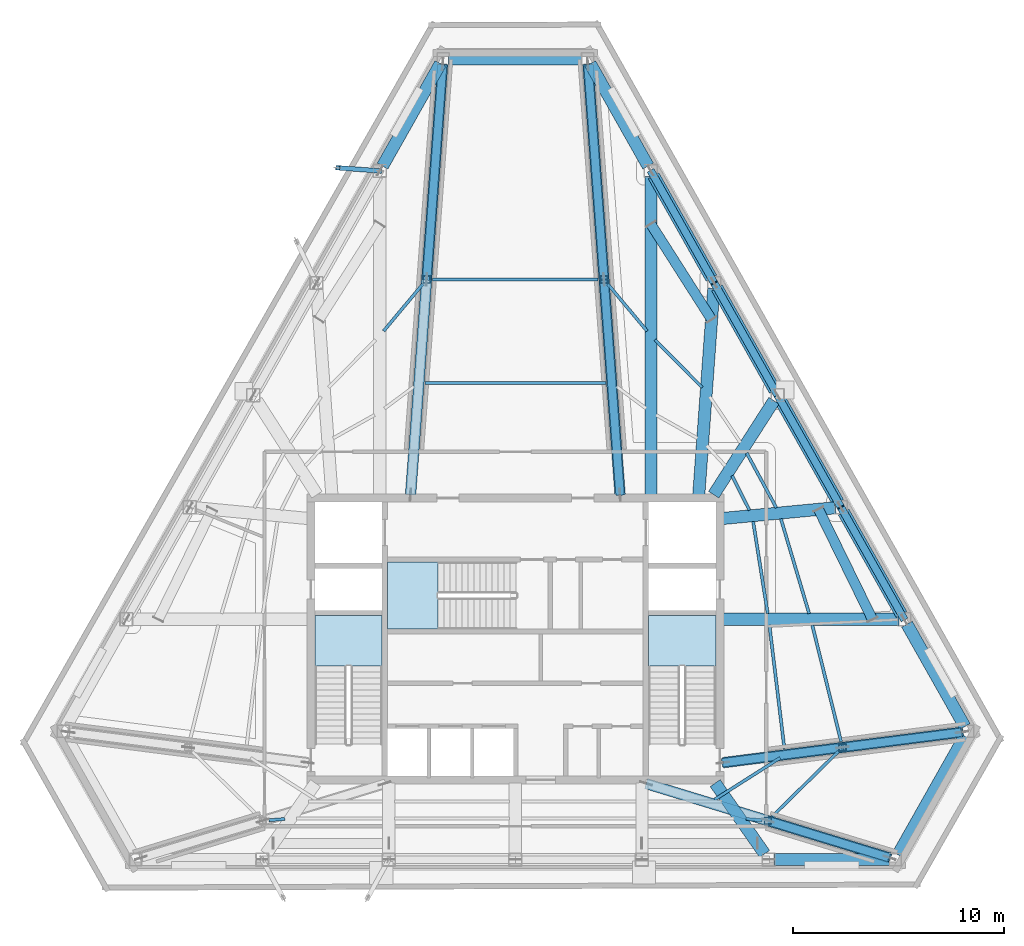
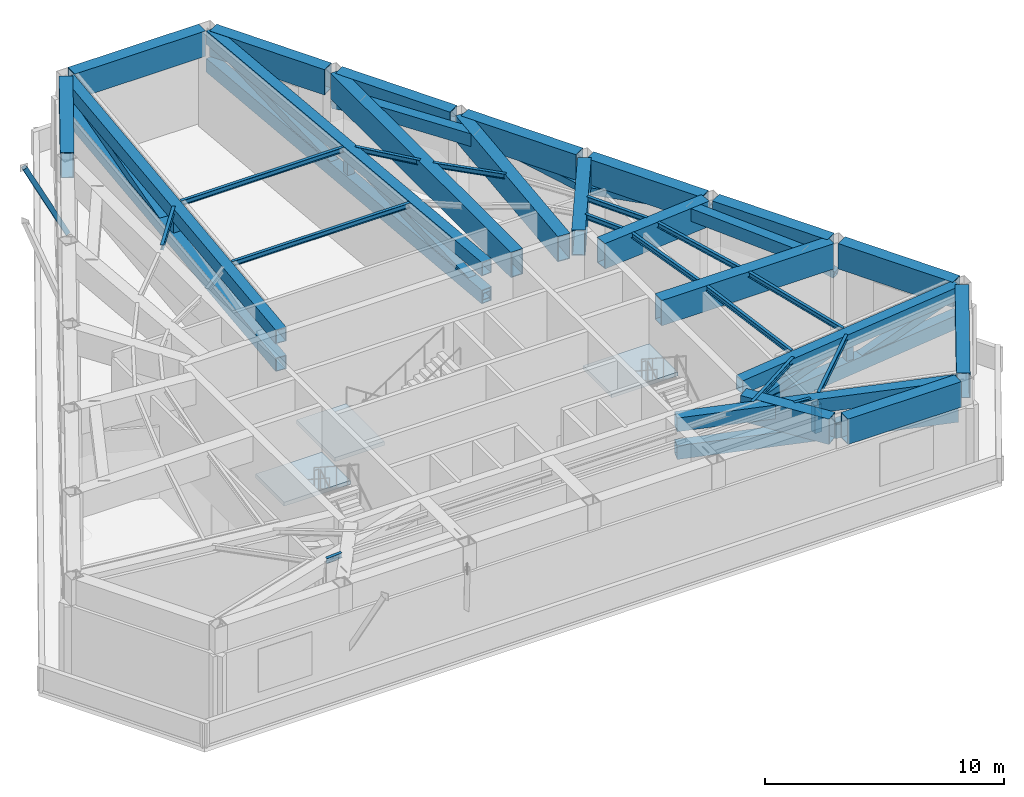
# One storey, part 3 of 13: 41 beams, 15 members, 3 slabs, 3 elements without a shape of their own.
"""IFC4 building model written with IfcOpenShell, lengths in metres."""

from ifc_helpers import new_model, si_unit, direction, frame, origin, origin_2d, place, context, subcontext, project, spatial, polyline, hollow_rectangle, i_section, outline, extrude, material, layer, layer_set, material_profile, profile_set, type_object, element, aggregate, save


model = new_model("IFC4")

# Units and contexts
model_context = context("Model", 3, precision=1e-05, world=origin(), true_north=direction((0.0, 1.0)))
body_context = subcontext(model_context, "Body", "Model", "MODEL_VIEW")
ifc_project = project(units=[si_unit("LENGTHUNIT", "METRE"), si_unit("AREAUNIT", "SQUARE_METRE"), si_unit("VOLUMEUNIT", "CUBIC_METRE"), si_unit("PLANEANGLEUNIT", "RADIAN"), si_unit("MASSUNIT", "GRAM", prefix="KILO")], contexts=[model_context])

# Site, building, storey
site_placement = place(None, origin())
site = spatial("IfcSite", under=ifc_project, at=site_placement, CompositionType="ELEMENT")
building_placement = place(site_placement, origin())
building = spatial("IfcBuilding", under=site, at=building_placement, Name="Kavelnor Concourse Tower", CompositionType="ELEMENT")
storey_placement = place(building_placement, frame((0.0, 0.0, 234.300048828125)))
storey = spatial("IfcBuildingStorey", under=building, at=storey_placement, Name="L59", CompositionType="ELEMENT", Elevation=234.300048828125)

# Beams
ifc_material_1 = material(Name="Steel Grade 350", Category="steel")
ifc_material_profile_1 = material_profile(ifc_material_1, hollow_rectangle(XDim=0.47998046875, YDim=0.64990234375, WallThickness=0.030029296875, at=origin_2d()), Name="RHS 650x480x30")
ifc_profile_set_1 = profile_set([ifc_material_profile_1], Name="Steel Grade 350")
beam_type_1 = type_object("IfcBeamType", Name="BM-BELT-CHORD-650", PredefinedType="BEAM", material=ifc_profile_set_1)
beam_1_placement = place(storey_placement, frame((54.95361328125, 17.02978515625, 4.635009765625), z_axis=(-0.439706396536, 0.89814157283, 0.0), x_axis=(-0.89814157283, -0.439706396536, 0.0)))
element("IfcBeam", 1, at=beam_1_placement, inside=storey, type_object=beam_type_1, Name="L59 Perimeter Belt Truss Chord F2-B1", PredefinedType="BEAM", context=body_context, shape_type="SweptSolid", body=[
    extrude(hollow_rectangle(XDim=0.47998046875, YDim=0.64990234375, WallThickness=0.030029296875, at=origin_2d()), origin(), (0.0, 0.0, 1.0), 5.81396484375),
])
beam_2_placement = place(storey_placement, frame((47.317138671875, 31.2685546875, 4.635009765625), z_axis=(-0.537164077301, 0.843477773304, 0.0), x_axis=(-0.843477773304, -0.537164077301, 0.0)))
element("IfcBeam", 2, at=beam_2_placement, inside=storey, type_object=beam_type_1, Name="L59 Perimeter Belt Truss Chord F2-B4", PredefinedType="BEAM", context=body_context, shape_type="SweptSolid", body=[
    extrude(hollow_rectangle(XDim=0.47998046875, YDim=0.64990234375, WallThickness=0.030029296875, at=origin_2d()), origin(), (0.0, 0.0, 1.0), 5.364013671875),
])
ifc_material_profile_2 = material_profile(ifc_material_1, i_section(OverallWidth=0.14599609375, OverallDepth=0.256103515625, WebThickness=0.00634765625, FlangeThickness=0.010986328125, at=origin_2d()), Name="250UB37")
ifc_profile_set_2 = profile_set([ifc_material_profile_2], Name="Steel Grade 350")
beam_type_2 = type_object("IfcBeamType", Name="BM-JOIST-250", PredefinedType="JOIST", material=ifc_profile_set_2)
for number, where, z_axis, x_axis, name in (
    (3, (26.29248046875, 7.489501953125, 4.83203125), (0.996921232993, 0.078409535179, 0.0), (-0.078409535179, 0.996921232993, 0.0), "L59 Secondary Composite Joist 02-2"),
    (4, (48.947021484375, 7.54931640625, 4.83203125), (0.996921232993, -0.078409535179, 0.0), (0.078409535179, 0.996921232993, 0.0), "L59 Secondary Composite Joist 07-2"),
):
    element("IfcBeam", number, at=place(storey_placement, frame(where, z_axis=z_axis, x_axis=x_axis)), inside=storey, type_object=beam_type_2, Name=name, PredefinedType="JOIST", context=body_context, shape_type="SweptSolid", body=[
        extrude(i_section(OverallWidth=0.14599609375, OverallDepth=0.256103515625, WebThickness=0.00634765625, FlangeThickness=0.010986328125, at=origin_2d()), origin(), (0.0, 0.0, 1.0), 0.762939453125),
    ])
beam_3_placement = place(storey_placement, frame((47.454345703125, 8.466552734375, 4.83203125), z_axis=(0.844091252982, 0.536199549271, 0.0), x_axis=(-0.536199549271, 0.844091252982, 0.0)))
element("IfcBeam", 5, at=beam_3_placement, inside=storey, type_object=beam_type_2, Name="L59 Secondary Composite Joist 08-1", PredefinedType="JOIST", context=body_context, shape_type="SweptSolid", body=[
    extrude(i_section(OverallWidth=0.14599609375, OverallDepth=0.256103515625, WebThickness=0.00634765625, FlangeThickness=0.010986328125, at=origin_2d()), origin(), (0.0, 0.0, 1.0), 3.693603515625),
])
beam_4_placement = place(storey_placement, frame((50.193115234375, 7.666259765625, 4.83203125), z_axis=(0.713677925241, 0.700473995965, 0.0), x_axis=(-0.700473995965, 0.713677925241, 0.0)))
element("IfcBeam", 6, at=beam_4_placement, inside=storey, type_object=beam_type_2, Name="L59 Secondary Composite Joist 08-2", PredefinedType="JOIST", context=body_context, shape_type="SweptSolid", body=[
    extrude(i_section(OverallWidth=0.14599609375, OverallDepth=0.256103515625, WebThickness=0.00634765625, FlangeThickness=0.010986328125, at=origin_2d()), origin(), (0.0, 0.0, 1.0), 4.400634765625),
])
beam_5_placement = place(storey_placement, frame((50.777587890625, 10.881103515625, 4.83203125), z_axis=(-0.120708871955, 0.992687951086, 0.0), x_axis=(-0.992687951086, -0.120708871955, 0.0)))
element("IfcBeam", 7, at=beam_5_placement, inside=storey, type_object=beam_type_2, Name="L59 Secondary Composite Joist 09-1", PredefinedType="JOIST", context=body_context, shape_type="SweptSolid", body=[
    extrude(i_section(OverallWidth=0.14599609375, OverallDepth=0.256103515625, WebThickness=0.00634765625, FlangeThickness=0.010986328125, at=origin_2d()), origin(), (0.0, 0.0, 1.0), 5.909912109375),
])
beam_6_placement = place(storey_placement, frame((53.46826171875, 11.223388671875, 4.83203125), z_axis=(-0.24001409996, 0.97076940198, 0.0), x_axis=(-0.97076940198, -0.24001409996, 0.0)))
element("IfcBeam", 8, at=beam_6_placement, inside=storey, type_object=beam_type_2, Name="L59 Secondary Composite Joist 09-2", PredefinedType="JOIST", context=body_context, shape_type="SweptSolid", body=[
    extrude(i_section(OverallWidth=0.14599609375, OverallDepth=0.256103515625, WebThickness=0.00634765625, FlangeThickness=0.010986328125, at=origin_2d()), origin(), (0.0, 0.0, 1.0), 5.697265625),
])
beam_7_placement = place(storey_placement, frame((49.985107421875, 17.310302734375, 4.83203125), z_axis=(-0.156888269668, 0.987616358127, 0.0), x_axis=(-0.987616358127, -0.156888269668, 0.0)))
element("IfcBeam", 9, at=beam_7_placement, inside=storey, type_object=beam_type_2, Name="L59 Secondary Composite Joist 10-1", PredefinedType="JOIST", context=body_context, shape_type="SweptSolid", body=[
    extrude(i_section(OverallWidth=0.14599609375, OverallDepth=0.256103515625, WebThickness=0.00634765625, FlangeThickness=0.010986328125, at=origin_2d()), origin(), (0.0, 0.0, 1.0), 4.414794921875),
])
beam_8_placement = place(storey_placement, frame((51.95166015625, 17.302001953125, 4.83203125), z_axis=(-0.285768256274, 0.958298754933, 0.0), x_axis=(-0.958298754933, -0.285768256274, 0.0)))
element("IfcBeam", 10, at=beam_8_placement, inside=storey, type_object=beam_type_2, Name="L59 Secondary Composite Joist 10-2", PredefinedType="JOIST", context=body_context, shape_type="SweptSolid", body=[
    extrude(i_section(OverallWidth=0.14599609375, OverallDepth=0.256103515625, WebThickness=0.00634765625, FlangeThickness=0.010986328125, at=origin_2d()), origin(), (0.0, 0.0, 1.0), 4.694580078125),
])
beam_9_placement = place(storey_placement, frame((49.120361328125, 22.20458984375, 4.83203125), z_axis=(-0.449646033907, 0.893206831698, 0.0), x_axis=(-0.893206831698, -0.449646033907, 0.0)))
element("IfcBeam", 11, at=beam_9_placement, inside=storey, type_object=beam_type_2, Name="L59 Secondary Composite Joist 11-1", PredefinedType="JOIST", context=body_context, shape_type="SweptSolid", body=[
    extrude(i_section(OverallWidth=0.14599609375, OverallDepth=0.256103515625, WebThickness=0.00634765625, FlangeThickness=0.010986328125, at=origin_2d()), origin(), (0.0, 0.0, 1.0), 1.845458984375),
])
beam_10_placement = place(storey_placement, frame((50.393798828125, 22.322998046875, 4.83203125), z_axis=(-0.475799768285, 0.87955362571, 0.0), x_axis=(-0.87955362571, -0.475799768285, 0.0)))
element("IfcBeam", 12, at=beam_10_placement, inside=storey, type_object=beam_type_2, Name="L59 Secondary Composite Joist 11-2", PredefinedType="JOIST", context=body_context, shape_type="SweptSolid", body=[
    extrude(i_section(OverallWidth=0.14599609375, OverallDepth=0.256103515625, WebThickness=0.00634765625, FlangeThickness=0.010986328125, at=origin_2d()), origin(), (0.0, 0.0, 1.0), 2.961669921875),
])
beam_11_placement = place(storey_placement, frame((46.86767578125, 28.041015625, 4.83203125), z_axis=(-0.703096674322, 0.71109427403, 0.0), x_axis=(-0.71109427403, -0.703096674322, 0.0)))
element("IfcBeam", 13, at=beam_11_placement, inside=storey, type_object=beam_type_2, Name="L59 Secondary Composite Joist 13-2", PredefinedType="JOIST", context=body_context, shape_type="SweptSolid", body=[
    extrude(i_section(OverallWidth=0.14599609375, OverallDepth=0.256103515625, WebThickness=0.00634765625, FlangeThickness=0.010986328125, at=origin_2d()), origin(), (0.0, 0.0, 1.0), 3.1748046875),
])
beam_12_placement = place(storey_placement, frame((44.253662109375, 30.718505859375, 4.83203125), z_axis=(-0.641342674248, 0.76725456935, 0.0), x_axis=(-0.76725456935, -0.641342674248, 0.0)))
element("IfcBeam", 14, at=beam_12_placement, inside=storey, type_object=beam_type_2, Name="L59 Secondary Composite Joist 14-2", PredefinedType="JOIST", context=body_context, shape_type="SweptSolid", body=[
    extrude(i_section(OverallWidth=0.14599609375, OverallDepth=0.256103515625, WebThickness=0.00634765625, FlangeThickness=0.010986328125, at=origin_2d()), origin(), (0.0, 0.0, 1.0), 2.900634765625),
])
beam_13_placement = place(storey_placement, frame((42.293701171875, 28.255615234375, 4.83203125), z_axis=(-1.0, 0.0, 0.0), x_axis=(0.0, -1.0, 0.0)))
element("IfcBeam", 15, at=beam_13_placement, inside=storey, type_object=beam_type_2, Name="L59 Secondary Composite Joist 15-1", PredefinedType="JOIST", context=body_context, shape_type="SweptSolid", body=[
    extrude(i_section(OverallWidth=0.14599609375, OverallDepth=0.256103515625, WebThickness=0.00634765625, FlangeThickness=0.010986328125, at=origin_2d()), origin(), (0.0, 0.0, 1.0), 8.58740234375),
])
beam_14_placement = place(storey_placement, frame((41.92724609375, 33.162109375, 4.83203125), z_axis=(-1.0, 0.0, 0.0), x_axis=(0.0, -1.0, 0.0)))
element("IfcBeam", 16, at=beam_14_placement, inside=storey, type_object=beam_type_2, Name="L59 Secondary Composite Joist 15-2", PredefinedType="JOIST", context=body_context, shape_type="SweptSolid", body=[
    extrude(i_section(OverallWidth=0.14599609375, OverallDepth=0.256103515625, WebThickness=0.00634765625, FlangeThickness=0.010986328125, at=origin_2d()), origin(), (0.0, 0.0, 1.0), 7.8544921875),
])
beam_15_placement = place(storey_placement, frame((33.606689453125, 32.944091796875, 4.83203125), z_axis=(-0.641342674248, -0.76725456935, 0.0), x_axis=(0.76725456935, -0.641342674248, 0.0)))
element("IfcBeam", 17, at=beam_15_placement, inside=storey, type_object=beam_type_2, Name="L59 Secondary Composite Joist 16-2", PredefinedType="JOIST", context=body_context, shape_type="SweptSolid", body=[
    extrude(i_section(OverallWidth=0.14599609375, OverallDepth=0.256103515625, WebThickness=0.00634765625, FlangeThickness=0.010986328125, at=origin_2d()), origin(), (0.0, 0.0, 1.0), 2.900634765625),
])
ifc_material_profile_3 = material_profile(ifc_material_1, hollow_rectangle(XDim=0.5, YDim=0.699951171875, WallThickness=0.031982421875, at=origin_2d()), Name="RHS 700x500x32")
ifc_profile_set_3 = profile_set([ifc_material_profile_3], Name="Steel Grade 350")
beam_type_3 = type_object("IfcBeamType", Name="BM-OUTRIG-CHORD-700", PredefinedType="BEAM", material=ifc_profile_set_3)
for number, where, z_axis, x_axis, name in (
    (18, (33.025390625, 22.940185546875, 3.179931640625), (0.07447878631, 0.997222598215, 0.0), (-0.997222598215, 0.07447878631, 0.0), "L59 Outrigger Truss Bottom Chord F0A"),
    (19, (33.025390625, 22.940185546875, 4.599853515625), (0.07447878631, 0.997222598215, 0.0), (-0.997222598215, 0.07447878631, 0.0), "L59 Outrigger Truss Top Chord F0A"),
):
    element("IfcBeam", number, at=place(storey_placement, frame(where, z_axis=z_axis, x_axis=x_axis)), inside=storey, type_object=beam_type_3, Name=name, PredefinedType="BEAM", context=body_context, shape_type="SweptSolid", body=[
        extrude(hollow_rectangle(XDim=0.5, YDim=0.699951171875, WallThickness=0.031982421875, at=origin_2d()), origin(), (0.0, 0.0, 1.0), 20.50048828125),
    ])
for number, where, z_axis, x_axis, name in (
    (20, (44.207275390625, 9.231689453125, 3.179931640625), (0.956481245835, -0.291793807963, 0.0), (0.291793807963, 0.956481245835, 0.0), "L59 Outrigger Truss Bottom Chord F1B"),
    (21, (44.207275390625, 9.231689453125, 4.599853515625), (0.956481245835, -0.291793807963, 0.0), (0.291793807963, 0.956481245835, 0.0), "L59 Outrigger Truss Top Chord F1B"),
):
    element("IfcBeam", number, at=place(storey_placement, frame(where, z_axis=z_axis, x_axis=x_axis)), inside=storey, type_object=beam_type_3, Name=name, PredefinedType="BEAM", context=body_context, shape_type="SweptSolid", body=[
        extrude(hollow_rectangle(XDim=0.5, YDim=0.699951171875, WallThickness=0.031982421875, at=origin_2d()), origin(), (0.0, 0.0, 1.0), 12.0927734375),
    ])
for number, where, z_axis, x_axis, name in (
    (22, (47.8603515625, 10.2216796875, 3.179931640625), (0.991920048308, 0.126864564654, 0.0), (-0.126864564654, 0.991920048308, 0.0), "L59 Outrigger Truss Bottom Chord F2A"),
    (23, (47.8603515625, 10.2216796875, 4.599853515625), (0.991920048308, 0.126864564654, 0.0), (-0.126864564654, 0.991920048308, 0.0), "L59 Outrigger Truss Top Chord F2A"),
):
    element("IfcBeam", number, at=place(storey_placement, frame(where, z_axis=z_axis, x_axis=x_axis)), inside=storey, type_object=beam_type_3, Name=name, PredefinedType="BEAM", context=body_context, shape_type="SweptSolid", body=[
        extrude(hollow_rectangle(XDim=0.5, YDim=0.699951171875, WallThickness=0.031982421875, at=origin_2d()), origin(), (0.0, 0.0, 1.0), 11.444580078125),
    ])
for number, where, z_axis, x_axis, name in (
    (24, (42.974609375, 22.940185546875, 3.179931640625), (-0.07447878631, 0.997222598215, 0.0), (-0.997222598215, -0.07447878631, 0.0), "L59 Outrigger Truss Bottom Chord F2B"),
    (25, (42.974609375, 22.940185546875, 4.599853515625), (-0.07447878631, 0.997222598215, 0.0), (-0.997222598215, -0.07447878631, 0.0), "L59 Outrigger Truss Top Chord F2B"),
):
    element("IfcBeam", number, at=place(storey_placement, frame(where, z_axis=z_axis, x_axis=x_axis)), inside=storey, type_object=beam_type_3, Name=name, PredefinedType="BEAM", context=body_context, shape_type="SweptSolid", body=[
        extrude(hollow_rectangle(XDim=0.5, YDim=0.699951171875, WallThickness=0.031982421875, at=origin_2d()), origin(), (0.0, 0.0, 1.0), 20.50048828125),
    ])
ifc_material_profile_4 = material_profile(ifc_material_1, hollow_rectangle(XDim=0.580078125, YDim=1.300048828125, WallThickness=0.0400390625, at=origin_2d()), Name="RHS 1300x580x40")
ifc_profile_set_4 = profile_set([ifc_material_profile_4], Name="Steel Grade 350")
beam_type_4 = type_object("IfcBeamType", Name="BM-SETBACK-XFER-1350", PredefinedType="BEAM", material=ifc_profile_set_4)
beam_16_placement = place(storey_placement, frame((34.441162109375, 43.4130859375, 4.31005859375), z_axis=(-0.491904525348, -0.870649147442, 0.0), x_axis=(0.870649147442, -0.491904525348, 0.0)))
element("IfcBeam", 26, at=beam_16_placement, inside=storey, type_object=beam_type_4, Name="L59 Perimeter Tube Spandrel Beam F0-B0", PredefinedType="BEAM", context=body_context, shape_type="SweptSolid", body=[
    extrude(hollow_rectangle(XDim=0.580078125, YDim=1.300048828125, WallThickness=0.0400390625, at=origin_2d()), origin(), (0.0, 0.0, 1.0), 5.58349609375),
])
beam_17_placement = place(storey_placement, frame((41.163330078125, 43.643798828125, 4.31005859375), z_axis=(-1.0, 0.0, 0.0), x_axis=(0.0, -1.0, 0.0)))
element("IfcBeam", 27, at=beam_17_placement, inside=storey, type_object=beam_type_4, Name="L59 Chamfer Facet Spandrel Beam C0", PredefinedType="BEAM", context=body_context, shape_type="SweptSolid", body=[
    extrude(hollow_rectangle(XDim=0.580078125, YDim=1.300048828125, WallThickness=0.0400390625, at=origin_2d()), origin(), (0.0, 0.0, 1.0), 6.32666015625),
])
beam_18_placement = place(storey_placement, frame((50.288818359375, 5.623291015625, 4.31005859375), z_axis=(1.0, 0.0, 0.0), x_axis=(0.0, 1.0, 0.0)))
element("IfcBeam", 28, at=beam_18_placement, inside=storey, type_object=beam_type_4, Name="L59 Perimeter Tube Spandrel Beam F1-B5", PredefinedType="BEAM", context=body_context, shape_type="SweptSolid", body=[
    extrude(hollow_rectangle(XDim=0.580078125, YDim=1.300048828125, WallThickness=0.0400390625, at=origin_2d()), origin(), (0.0, 0.0, 1.0), 5.481689453125),
])
for number, where, z_axis, x_axis, name in (
    (29, (59.34228515625, 11.937744140625, 4.31005859375), (-0.491904525348, 0.870649147442, 0.0), (-0.870649147442, -0.491904525348, 0.0), "L59 Perimeter Tube Spandrel Beam F2-B0"),
    (30, (56.3349609375, 17.260498046875, 4.31005859375), (-0.491904525348, 0.870649147442, 0.0), (-0.870649147442, -0.491904525348, 0.0), "L59 Perimeter Tube Spandrel Beam F2-B1"),
):
    element("IfcBeam", number, at=place(storey_placement, frame(where, z_axis=z_axis, x_axis=x_axis)), inside=storey, type_object=beam_type_4, Name=name, PredefinedType="BEAM", context=body_context, shape_type="SweptSolid", body=[
        extrude(hollow_rectangle(XDim=0.580078125, YDim=1.300048828125, WallThickness=0.0400390625, at=origin_2d()), origin(), (0.0, 0.0, 1.0), 5.58349609375),
    ])
for number, where, z_axis, x_axis, name in (
    (31, (53.32763671875, 22.583251953125, 4.31005859375), (-0.491885799633, 0.870659726942, 0.0), (-0.870659726942, -0.491885799633, 0.0), "L59 Perimeter Tube Spandrel Beam F2-B2"),
    (32, (50.3203125, 27.90625, 4.31005859375), (-0.491937669021, 0.870630420901, 0.0), (-0.870630420901, -0.491937669021, 0.0), "L59 Perimeter Tube Spandrel Beam F2-B3"),
):
    element("IfcBeam", number, at=place(storey_placement, frame(where, z_axis=z_axis, x_axis=x_axis)), inside=storey, type_object=beam_type_4, Name=name, PredefinedType="BEAM", context=body_context, shape_type="SweptSolid", body=[
        extrude(hollow_rectangle(XDim=0.580078125, YDim=1.300048828125, WallThickness=0.0400390625, at=origin_2d()), origin(), (0.0, 0.0, 1.0), 5.583740234375),
    ])
for number, where, z_axis, x_axis, name in (
    (33, (47.312744140625, 33.22900390625, 4.31005859375), (-0.491904525348, 0.870649147442, 0.0), (-0.870649147442, -0.491904525348, 0.0), "L59 Perimeter Tube Spandrel Beam F2-B4"),
    (34, (44.305419921875, 38.5517578125, 4.31005859375), (-0.491904525348, 0.870649147442, 0.0), (-0.870649147442, -0.491904525348, 0.0), "L59 Perimeter Tube Spandrel Beam F2-B5"),
):
    element("IfcBeam", number, at=place(storey_placement, frame(where, z_axis=z_axis, x_axis=x_axis)), inside=storey, type_object=beam_type_4, Name=name, PredefinedType="BEAM", context=body_context, shape_type="SweptSolid", body=[
        extrude(hollow_rectangle(XDim=0.580078125, YDim=1.300048828125, WallThickness=0.0400390625, at=origin_2d()), origin(), (0.0, 0.0, 1.0), 5.58349609375),
    ])
beam_19_placement = place(storey_placement, frame((56.166015625, 5.85400390625, 4.31005859375), z_axis=(0.491874112862, 0.870666329369, 0.0), x_axis=(-0.870666329369, 0.491874112862, 0.0)))
element("IfcBeam", 35, at=beam_19_placement, inside=storey, type_object=beam_type_4, Name="L59 Chamfer Facet Spandrel Beam C2", PredefinedType="BEAM", context=body_context, shape_type="SweptSolid", body=[
    extrude(hollow_rectangle(XDim=0.580078125, YDim=1.300048828125, WallThickness=0.0400390625, at=origin_2d()), origin(), (0.0, 0.0, 1.0), 6.45751953125),
])
beam_20_placement = place(storey_placement, frame((47.490478515625, 9.252685546875, 4.31005859375), z_axis=(0.572326881385, -0.820025573287, 0.0), x_axis=(0.820025573287, 0.572326881385, 0.0)))
element("IfcBeam", 36, at=beam_20_placement, inside=storey, type_object=beam_type_4, Name="L59 Primary Floor Girder F1-B5", PredefinedType="BEAM", context=body_context, shape_type="SweptSolid", body=[
    extrude(hollow_rectangle(XDim=0.580078125, YDim=1.300048828125, WallThickness=0.0400390625, at=origin_2d()), origin(), (0.0, 0.0, 1.0), 4.100341796875),
])
beam_21_placement = place(storey_placement, frame((47.860107421875, 17.02978515625, 4.31005859375), z_axis=(1.0, 0.0, 0.0), x_axis=(0.0, 1.0, 0.0)))
element("IfcBeam", 37, at=beam_21_placement, inside=storey, type_object=beam_type_4, Name="L59 Primary Floor Girder F2-B1", PredefinedType="BEAM", context=body_context, shape_type="SweptSolid", body=[
    extrude(hollow_rectangle(XDim=0.580078125, YDim=1.300048828125, WallThickness=0.0400390625, at=origin_2d()), origin(), (0.0, 0.0, 1.0), 8.34521484375),
])
beam_22_placement = place(storey_placement, frame((47.860107421875, 21.818359375, 4.31005859375), z_axis=(0.9954747803, 0.095026111077, 0.0), x_axis=(-0.095026111077, 0.9954747803, 0.0)))
element("IfcBeam", 38, at=beam_22_placement, inside=storey, type_object=beam_type_4, Name="L59 Primary Floor Girder F2-B2", PredefinedType="BEAM", context=body_context, shape_type="SweptSolid", body=[
    extrude(hollow_rectangle(XDim=0.580078125, YDim=1.300048828125, WallThickness=0.0400390625, at=origin_2d()), origin(), (0.0, 0.0, 1.0), 5.36181640625),
])
beam_23_placement = place(storey_placement, frame((47.4189453125, 22.9462890625, 4.31005859375), z_axis=(0.539667788652, 0.841878065929, 0.0), x_axis=(-0.841878065929, 0.539667788652, 0.0)))
element("IfcBeam", 39, at=beam_23_placement, inside=storey, type_object=beam_type_4, Name="L59 Primary Floor Girder F2-B3", PredefinedType="BEAM", context=body_context, shape_type="SweptSolid", body=[
    extrude(hollow_rectangle(XDim=0.580078125, YDim=1.300048828125, WallThickness=0.0400390625, at=origin_2d()), origin(), (0.0, 0.0, 1.0), 5.301025390625),
])
beam_24_placement = place(storey_placement, frame((46.71044921875, 22.940185546875, 4.31005859375), z_axis=(0.072665140832, 0.997356394328, 0.0), x_axis=(-0.997356394328, 0.072665140832, 0.0)))
element("IfcBeam", 40, at=beam_24_placement, inside=storey, type_object=beam_type_4, Name="L59 Primary Floor Girder F2-B4", PredefinedType="BEAM", context=body_context, shape_type="SweptSolid", body=[
    extrude(hollow_rectangle(XDim=0.580078125, YDim=1.300048828125, WallThickness=0.0400390625, at=origin_2d()), origin(), (0.0, 0.0, 1.0), 9.823974609375),
])
beam_25_placement = place(storey_placement, frame((44.435791015625, 22.93994140625, 4.31005859375), z_axis=(0.0, 1.0, 0.0), x_axis=(-1.0, 0.0, 0.0)))
element("IfcBeam", 41, at=beam_25_placement, inside=storey, type_object=beam_type_4, Name="L59 Primary Floor Girder F2-B5", PredefinedType="BEAM", context=body_context, shape_type="SweptSolid", body=[
    extrude(hollow_rectangle(XDim=0.580078125, YDim=1.300048828125, WallThickness=0.0400390625, at=origin_2d()), origin(), (0.0, 0.0, 1.0), 15.12109375),
])

# Members
ifc_material_profile_5 = material_profile(ifc_material_1, hollow_rectangle(XDim=0.219970703125, YDim=0.219970703125, WallThickness=0.013916015625, at=origin_2d()), Name="SHS 220x220x14")
ifc_profile_set_5 = profile_set([ifc_material_profile_5], Name="Steel Grade 350")
member_type_1 = type_object("IfcMemberType", Name="MBR-BALC-STRUT-220", PredefinedType="STRUT", material=ifc_profile_set_5)
member_1_placement = place(storey_placement, frame((31.564208984375, 38.321044921875, 1.050048828125), z_axis=(-0.450203662933, 0.033160724959, 0.89230993954), x_axis=(-0.073458164233, -0.997298299461, 0.0)))
element("IfcMember", 42, at=member_1_placement, inside=storey, type_object=member_type_1, Name="L59 Tree Balcony Raking Knee Strut 1-A", PredefinedType="STRUT", context=body_context, shape_type="SweptSolid", body=[
    extrude(hollow_rectangle(XDim=0.219970703125, YDim=0.219970703125, WallThickness=0.013916015625, at=origin_2d()), origin(), (0.0, 0.0, 1.0), 4.43212890625),
])
ifc_material_profile_6 = material_profile(ifc_material_1, hollow_rectangle(XDim=0.360107421875, YDim=0.360107421875, WallThickness=0.02197265625, at=origin_2d()), Name="SHS 360x360x22")
ifc_profile_set_6 = profile_set([ifc_material_profile_6], Name="Steel Grade 350")
member_type_2 = type_object("IfcMemberType", Name="MBR-BELT-DIAG-360", PredefinedType="BRACE", material=ifc_profile_set_6)
member_2_placement = place(storey_placement, frame((56.46533203125, 17.02978515625, 3.179931640625), z_axis=(-0.483714646971, 0.856141153861, 0.181775864656), x_axis=(-0.870646127451, -0.49190987056, 0.0)))
element("IfcMember", 43, at=member_2_placement, inside=storey, type_object=member_type_2, Name="L59 Perimeter Belt Truss Diagonal F2-B1", PredefinedType="BRACE", context=body_context, shape_type="SweptSolid", body=[
    extrude(hollow_rectangle(XDim=0.360107421875, YDim=0.360107421875, WallThickness=0.02197265625, at=origin_2d()), origin(), (0.0, 0.0, 1.0), 6.217041015625),
])
for number, where, z_axis, x_axis, name in (
    (44, (50.45068359375, 27.675537109375, 3.179931640625), (0.483698385055, -0.856151639013, 0.181769753566), (0.870655790046, 0.49189276805, 0.0), "L59 Perimeter Belt Truss Diagonal F2-B2"),
    (45, (50.45068359375, 27.675537109375, 3.179931640625), (-0.483744726903, 0.856124891301, 0.181772411789), (-0.870629024251, -0.491940140801, 0.0), "L59 Perimeter Belt Truss Diagonal F2-B3"),
):
    element("IfcMember", number, at=place(storey_placement, frame(where, z_axis=z_axis, x_axis=x_axis)), inside=storey, type_object=member_type_2, Name=name, PredefinedType="BRACE", context=body_context, shape_type="SweptSolid", body=[
        extrude(hollow_rectangle(XDim=0.360107421875, YDim=0.360107421875, WallThickness=0.02197265625, at=origin_2d()), origin(), (0.0, 0.0, 1.0), 6.21728515625),
    ])
member_3_placement = place(storey_placement, frame((44.435791015625, 38.321044921875, 3.179931640625), z_axis=(0.483714646971, -0.856141153861, 0.181775864656), x_axis=(0.870646127451, 0.49190987056, 0.0)))
element("IfcMember", 46, at=member_3_placement, inside=storey, type_object=member_type_2, Name="L59 Perimeter Belt Truss Diagonal F2-B4", PredefinedType="BRACE", context=body_context, shape_type="SweptSolid", body=[
    extrude(hollow_rectangle(XDim=0.360107421875, YDim=0.360107421875, WallThickness=0.02197265625, at=origin_2d()), origin(), (0.0, 0.0, 1.0), 6.217041015625),
])
ifc_material_profile_7 = material_profile(ifc_material_1, hollow_rectangle(XDim=0.39990234375, YDim=0.39990234375, WallThickness=0.02490234375, at=origin_2d()), Name="SHS 400x400x25")
ifc_profile_set_7 = profile_set([ifc_material_profile_7], Name="Steel Grade 350")
member_type_3 = type_object("IfcMemberType", Name="MBR-OUTRIG-DIAG-400", PredefinedType="BRACE", material=ifc_profile_set_7)
member_4_placement = place(storey_placement, frame((33.788818359375, 33.162109375, 3.179931640625), z_axis=(0.073775172271, 0.987789866528, 0.137216629973), x_axis=(-0.997222532153, 0.074479670824, 0.0)))
element("IfcMember", 47, at=member_4_placement, inside=storey, type_object=member_type_3, Name="L59 Outrigger Truss Outer Diagonal F0A", PredefinedType="BRACE", context=body_context, shape_type="SweptSolid", body=[
    extrude(hollow_rectangle(XDim=0.39990234375, YDim=0.39990234375, WallThickness=0.02490234375, at=origin_2d()), origin(), (0.0, 0.0, 1.0), 10.34814453125),
])
member_5_placement = place(storey_placement, frame((49.990478515625, 7.46728515625, 3.179931640625), z_axis=(0.931154609563, -0.284047754505, 0.228621884888), x_axis=(0.291775337626, 0.956486880387, 0.0)))
element("IfcMember", 48, at=member_5_placement, inside=storey, type_object=member_type_3, Name="L59 Outrigger Truss Outer Diagonal F1B", PredefinedType="BRACE", context=body_context, shape_type="SweptSolid", body=[
    extrude(hollow_rectangle(XDim=0.39990234375, YDim=0.39990234375, WallThickness=0.02490234375, at=origin_2d()), origin(), (0.0, 0.0, 1.0), 6.210693359375),
])
for number, where, z_axis, x_axis, name in (
    (49, (47.8603515625, 10.2216796875, 3.179931640625), (0.962721197079, 0.123150795308, 0.240835583561), (-0.126885553761, 0.991917363618, 0.0), "L59 Outrigger Truss Inner Diagonal F2A"),
    (50, (53.536376953125, 10.94775390625, 3.179931640625), (0.962726105755, 0.123110013868, 0.240836811522), (-0.126843575376, 0.991922732568, 0.0), "L59 Outrigger Truss Outer Diagonal F2A"),
):
    element("IfcMember", number, at=place(storey_placement, frame(where, z_axis=z_axis, x_axis=x_axis)), inside=storey, type_object=member_type_3, Name=name, PredefinedType="BRACE", context=body_context, shape_type="SweptSolid", body=[
        extrude(hollow_rectangle(XDim=0.39990234375, YDim=0.39990234375, WallThickness=0.02490234375, at=origin_2d()), origin(), (0.0, 0.0, 1.0), 5.895751953125),
    ])
member_6_placement = place(storey_placement, frame((42.974609375, 22.940185546875, 3.179931640625), z_axis=(-0.073773452989, 0.987790439137, 0.13721343223), x_axis=(-0.997222664274, -0.074477901817, 0.0)))
element("IfcMember", 51, at=member_6_placement, inside=storey, type_object=member_type_3, Name="L59 Outrigger Truss Inner Diagonal F2B", PredefinedType="BRACE", context=body_context, shape_type="SweptSolid", body=[
    extrude(hollow_rectangle(XDim=0.39990234375, YDim=0.39990234375, WallThickness=0.02490234375, at=origin_2d()), origin(), (0.0, 0.0, 1.0), 10.348388671875),
])
member_7_placement = place(storey_placement, frame((42.211181640625, 33.162109375, 3.179931640625), z_axis=(-0.073775172271, 0.987789866528, 0.137216629973), x_axis=(-0.997222532153, -0.074479670824, 0.0)))
element("IfcMember", 52, at=member_7_placement, inside=storey, type_object=member_type_3, Name="L59 Outrigger Truss Outer Diagonal F2B", PredefinedType="BRACE", context=body_context, shape_type="SweptSolid", body=[
    extrude(hollow_rectangle(XDim=0.39990234375, YDim=0.39990234375, WallThickness=0.02490234375, at=origin_2d()), origin(), (0.0, 0.0, 1.0), 10.34814453125),
])
ifc_material_profile_8 = material_profile(ifc_material_1, hollow_rectangle(XDim=0.340087890625, YDim=0.340087890625, WallThickness=0.02001953125, at=origin_2d()), Name="SHS 340x340x20")
ifc_profile_set_8 = profile_set([ifc_material_profile_8], Name="Steel Grade 350")
member_type_4 = type_object("IfcMemberType", Name="MBR-TRUSS-POST-340", PredefinedType="POST", material=ifc_profile_set_8)
for number, where, z_axis, x_axis, name in (
    (53, (33.788818359375, 33.162109375, 3.179931640625), (0.0, 0.0, 1.0), (1.0, 0.0, 0.0), "L59 Outrigger Truss Web Post F0A"),
    (54, (49.990478515625, 7.46728515625, 3.179931640625), (0.0, 0.0, 1.0), (1.0, 0.0, 0.0), "L59 Outrigger Truss Web Post F1B"),
    (55, (53.536376953125, 10.94775390625, 3.179931640625), (0.0, 0.0, 1.0), (1.0, 0.0, 0.0), "L59 Outrigger Truss Web Post F2A"),
    (56, (42.211181640625, 33.162109375, 3.179931640625), (0.0, 0.0, 1.0), (1.0, 0.0, 0.0), "L59 Outrigger Truss Web Post F2B"),
):
    element("IfcMember", number, at=place(storey_placement, frame(where, z_axis=z_axis, x_axis=x_axis)), inside=storey, type_object=member_type_4, Name=name, PredefinedType="POST", context=body_context, shape_type="SweptSolid", body=[
        extrude(hollow_rectangle(XDim=0.340087890625, YDim=0.340087890625, WallThickness=0.02001953125, at=origin_2d()), origin(), (0.0, 0.0, 1.0), 1.419921875),
    ])

# Stair, slab
ifc_material_2 = material(Name="Concrete C40/50", Category="concrete")
stair_type = type_object("IfcStairType", Name="STR-CORE-1500", PredefinedType="HALF_TURN_STAIR", material=ifc_material_2)
stair_1_placement = place(storey_placement, origin())
stair_1 = element("IfcStair", 57, at=stair_1_placement, inside=storey, type_object=stair_type, Name="L59 ST1", PredefinedType="HALF_TURN_STAIR")
ifc_layer = layer(ifc_material_2, 0.199951171875, Name="Concrete C40/50")
ifc_layer_set = layer_set([ifc_layer], Name="Concrete C40/50")
slab_type = type_object("IfcSlabType", Name="SLB-LANDING-200", PredefinedType="LANDING", material=ifc_layer_set)
slab_1_placement = place(storey_placement, frame((0.0, 0.0, 2.39990234375)))
slab_1 = element("IfcSlab", 58, at=slab_1_placement, type_object=slab_type, Name="ST1 landing 1", PredefinedType="LANDING", context=body_context, shape_type="SweptSolid", body=[
    extrude(outline(polyline([(31.679931640625, 14.804931640625), (31.679931640625, 17.199951171875), (28.47998046875, 17.199951171875), (28.47998046875, 14.804931640625), (31.679931640625, 14.804931640625)])), origin(), (0.0, 0.0, 1.0), 0.199951171875),
])
aggregate(stair_1, [slab_1])

stair_2_placement = place(storey_placement, origin())
stair_2 = element("IfcStair", 59, at=stair_2_placement, inside=storey, type_object=stair_type, Name="L59 ST2", PredefinedType="HALF_TURN_STAIR")
slab_2_placement = place(storey_placement, frame((0.0, 0.0, 2.39990234375)))
slab_2 = element("IfcSlab", 60, at=slab_2_placement, type_object=slab_type, Name="ST2 landing 1", PredefinedType="LANDING", context=body_context, shape_type="SweptSolid", body=[
    extrude(outline(polyline([(47.52001953125, 14.804931640625), (47.52001953125, 17.199951171875), (44.320068359375, 17.199951171875), (44.320068359375, 14.804931640625), (47.52001953125, 14.804931640625)])), origin(), (0.0, 0.0, 1.0), 0.199951171875),
])
aggregate(stair_2, [slab_2])

stair_3_placement = place(storey_placement, origin())
stair_3 = element("IfcStair", 61, at=stair_3_placement, inside=storey, type_object=stair_type, Name="L59 ST3", PredefinedType="HALF_TURN_STAIR")
slab_3_placement = place(storey_placement, frame((0.0, 0.0, 2.39990234375)))
slab_3 = element("IfcSlab", 62, at=slab_3_placement, type_object=slab_type, Name="ST3 landing 1", PredefinedType="LANDING", context=body_context, shape_type="SweptSolid", body=[
    extrude(outline(polyline([(34.3349609375, 19.760009765625), (31.93994140625, 19.760009765625), (31.93994140625, 16.56005859375), (34.3349609375, 16.56005859375), (34.3349609375, 19.760009765625)])), origin(), (0.0, 0.0, 1.0), 0.199951171875),
])
aggregate(stair_3, [slab_3])

save(model, "model.ifc")
